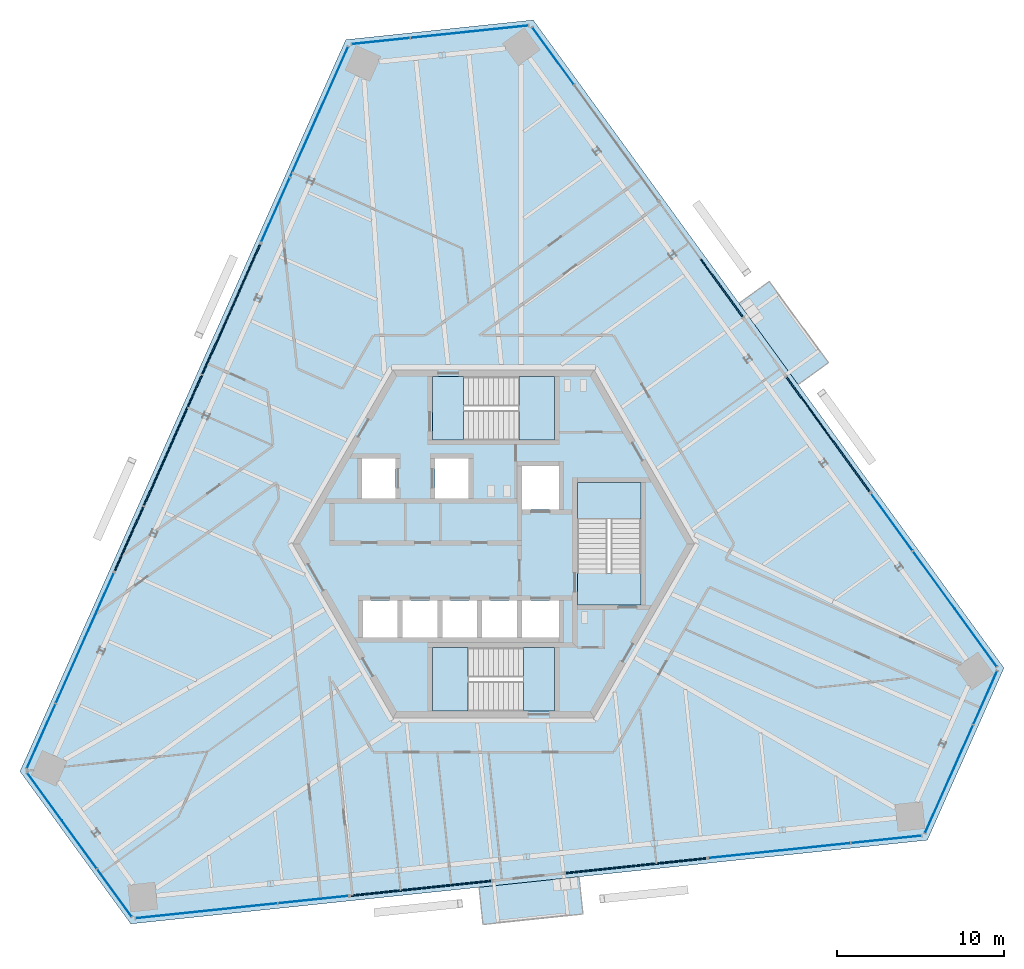
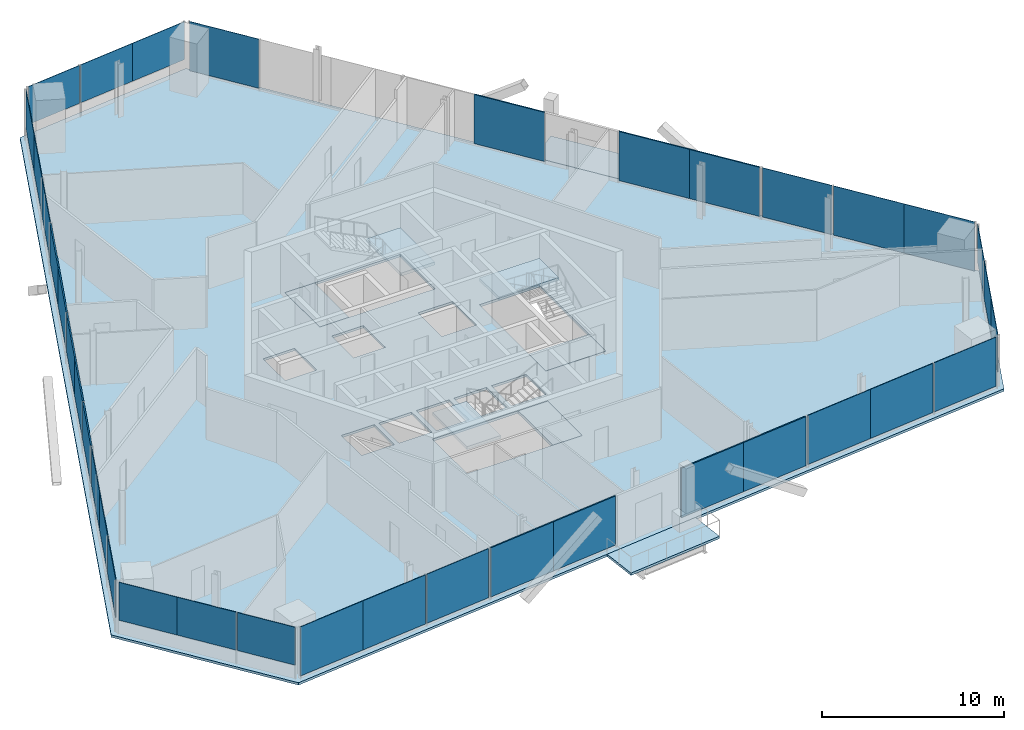
# One storey, part 10 of 18: 37 plates, 9 slabs, 17 elements without a shape of their own.
"""IFC4 building model written with IfcOpenShell, lengths in metres."""

from ifc_helpers import new_model, si_unit, direction, frame, origin, origin_2d, place, context, subcontext, project, spatial, polyline, rectangle, outline, extrude, source, transform, mapped, material, layer, layer_set, type_object, element, aggregate, save


model = new_model("IFC4")

# Units and contexts
model_context = context("Model", 3, precision=1e-05, world=origin(), true_north=direction((0.0, 1.0)))
body_context = subcontext(model_context, "Body", "Model", "MODEL_VIEW")
ifc_project = project(units=[si_unit("LENGTHUNIT", "METRE"), si_unit("AREAUNIT", "SQUARE_METRE"), si_unit("VOLUMEUNIT", "CUBIC_METRE"), si_unit("PLANEANGLEUNIT", "RADIAN"), si_unit("MASSUNIT", "GRAM", prefix="KILO")], contexts=[model_context])

# Site, building, storey
site_placement = place(None, origin())
site = spatial("IfcSite", under=ifc_project, at=site_placement, CompositionType="ELEMENT")
building_placement = place(site_placement, origin())
building = spatial("IfcBuilding", under=site, at=building_placement, Name="Triune Harvest Tower", CompositionType="ELEMENT")
storey_placement = place(building_placement, frame((0.0, 0.0, 230.5)))
storey = spatial("IfcBuildingStorey", under=building, at=storey_placement, Name="L60", CompositionType="ELEMENT", Elevation=230.5)

# Slabs
ifc_material_1 = material(Name="Concrete 40 MPa", Category="concrete")
ifc_layer_1 = layer(ifc_material_1, 0.159912109375)
ifc_layer_set_1 = layer_set([ifc_layer_1], Name="Concrete 40 MPa")
slab_type_1 = type_object("IfcSlabType", Name="BA-1 balcony slab 160", PredefinedType="FLOOR", material=ifc_layer_set_1)
slab_1_placement = place(storey_placement, frame((0.0, 0.0, -0.159912109375)))
element("IfcSlab", 1, at=slab_1_placement, inside=storey, type_object=slab_type_1, Name="Balcony slab B6-F1 L60.6", PredefinedType="FLOOR", context=body_context, shape_type="SweptSolid", body=[
    extrude(outline(polyline([(18.189208984375, 9.507080078125), (14.66259765625, 14.361083984375), (16.47021484375, 15.674560546875), (19.9970703125, 10.8203125), (18.189208984375, 9.507080078125)])), origin(), (0.0, 0.0, 1.0), 0.159912109375),
])
slab_2_placement = place(storey_placement, frame((0.0, 0.0, -0.159912109375)))
element("IfcSlab", 2, at=slab_2_placement, inside=storey, type_object=slab_type_1, Name="Balcony slab B6-F5 L60.6", PredefinedType="FLOOR", context=body_context, shape_type="SweptSolid", body=[
    extrude(outline(polyline([(-0.861328125, -20.505859375), (5.10595703125, -19.878662109375), (5.33935546875, -22.100830078125), (-0.627685546875, -22.72802734375), (-0.861328125, -20.505859375)])), origin(), (0.0, 0.0, 1.0), 0.159912109375),
])
ifc_material_2 = material(Name="Concrete 40 MPa", Category="concrete")
ifc_layer_2 = layer(ifc_material_2, 0.159912109375)
ifc_layer_set_2 = layer_set([ifc_layer_2], Name="Concrete 40 MPa")
slab_type_2 = type_object("IfcSlabType", Name="SL-1 Composite floor slab 160", PredefinedType="FLOOR", material=ifc_layer_set_2)
shared_shape_1 = source(origin(), body_context, "Body", "SweptSolid", [
    extrude(outline(polyline([(30.481689453125, -7.412109375), (2.3701171875, 31.280517578125), (-8.82177734375, 30.10400390625), (-28.274658203125, -13.587646484375), (-21.659912109375, -22.69189453125), (25.904541015625, -17.692626953125), (30.481689453125, -7.412109375)]), holes=[polyline([(-5.72509765625, -5.590087890625), (-5.72509765625, -3.389892578125), (-7.800048828125, -3.389892578125), (-7.800048828125, -5.590087890625), (-5.72509765625, -5.590087890625)]), polyline([(-3.35009765625, -5.590087890625), (-3.35009765625, -3.389892578125), (-5.425048828125, -3.389892578125), (-5.425048828125, -5.590087890625), (-3.35009765625, -5.590087890625)]), polyline([(-0.97509765625, -5.590087890625), (-0.97509765625, -3.389892578125), (-3.050048828125, -3.389892578125), (-3.050048828125, -5.590087890625), (-0.97509765625, -5.590087890625)]), polyline([(1.39990234375, -5.590087890625), (1.39990234375, -3.389892578125), (-0.675048828125, -3.389892578125), (-0.675048828125, -5.590087890625), (1.39990234375, -5.590087890625)]), polyline([(3.89990234375, 2.06005859375), (3.89990234375, 4.659912109375), (1.699951171875, 4.659912109375), (1.699951171875, 2.06005859375), (3.89990234375, 2.06005859375)]), polyline([(3.89990234375, -5.590087890625), (3.89990234375, -3.389892578125), (1.699951171875, -3.389892578125), (1.699951171875, -5.590087890625), (3.89990234375, -5.590087890625)]), polyline([(-5.85009765625, 2.7099609375), (-5.85009765625, 5.110107421875), (-7.85009765625, 5.110107421875), (-7.85009765625, 2.7099609375), (-5.85009765625, 2.7099609375)]), polyline([(-1.5, 2.7099609375), (-1.5, 5.110107421875), (-3.5, 5.110107421875), (-3.5, 2.7099609375), (-1.5, 2.7099609375)]), polyline([(3.64990234375, 6.18994140625), (3.64990234375, 9.989990234375), (-3.64990234375, 9.989990234375), (-3.64990234375, 6.18994140625), (3.64990234375, 6.18994140625)]), polyline([(3.64990234375, -9.989990234375), (3.64990234375, -6.18994140625), (-3.64990234375, -6.18994140625), (-3.64990234375, -9.989990234375), (3.64990234375, -9.989990234375)]), polyline([(8.800048828125, -3.64990234375), (8.800048828125, 3.64990234375), (5.0, 3.64990234375), (5.0, -3.64990234375), (8.800048828125, -3.64990234375)])]), origin(), (0.0, 0.0, 1.0), 0.159912109375),
])
slab_3_placement = place(storey_placement, frame((0.0, 0.0, -0.159912109375)))
element("IfcSlab", 3, at=slab_3_placement, inside=storey, type_object=slab_type_2, Name="slab/L60/1", PredefinedType="FLOOR", context=body_context, shape_type="MappedRepresentation", body=[
    mapped(shared_shape_1, transform((0.0, 0.0, 0.0), scale=1.0)),
])

# Stair, slabs
ifc_material_3 = material(Name="Concrete 40 MPa", Category="concrete")
stair_type = type_object("IfcStairType", Name="Exit stair 1800 half turn", PredefinedType="HALF_TURN_STAIR", material=ifc_material_3)
stair_1_placement = place(storey_placement, origin())
stair_1 = element("IfcStair", 4, at=stair_1_placement, inside=storey, type_object=stair_type, Name="Exit stair north", PredefinedType="HALF_TURN_STAIR")
ifc_material_4 = material(Name="Concrete 40 MPa", Category="concrete")
ifc_layer_3 = layer(ifc_material_4, 0.199951171875)
ifc_layer_set_3 = layer_set([ifc_layer_3], Name="Concrete 40 MPa")
slab_type_3 = type_object("IfcSlabType", Name="Stair landing 200", PredefinedType="LANDING", material=ifc_layer_set_3)
shared_shape_2 = source(origin(), body_context, "Body", "SweptSolid", [
    extrude(outline(polyline([(1.510009765625, 6.18994140625), (3.64990234375, 6.18994140625), (3.64990234375, 9.989990234375), (1.510009765625, 9.989990234375), (1.510009765625, 6.18994140625)])), origin(), (0.0, 0.0, 1.0), 0.199951171875),
])
slab_4_placement = place(storey_placement, frame((0.0, 0.0, 1.60009765625)))
slab_4 = element("IfcSlab", 5, at=slab_4_placement, type_object=slab_type_3, Name="ST-1 landing 2", PredefinedType="LANDING", context=body_context, shape_type="MappedRepresentation", body=[
    mapped(shared_shape_2, transform((0.0, 0.0, 0.0), scale=1.0)),
])
shared_shape_3 = source(origin(), body_context, "Body", "SweptSolid", [
    extrude(outline(polyline([(-3.64990234375, 6.18994140625), (-1.780029296875, 6.18994140625), (-1.780029296875, 9.989990234375), (-3.64990234375, 9.989990234375), (-3.64990234375, 6.18994140625)])), origin(), (0.0, 0.0, 1.0), 0.199951171875),
])
slab_5_placement = place(storey_placement, frame((0.0, 0.0, -0.199951171875)))
slab_5 = element("IfcSlab", 6, at=slab_5_placement, type_object=slab_type_3, Name="ST-1 landing 1", PredefinedType="LANDING", context=body_context, shape_type="MappedRepresentation", body=[
    mapped(shared_shape_3, transform((0.0, 0.0, 0.0), scale=1.0)),
])
aggregate(stair_1, [slab_5, slab_4])

stair_2_placement = place(storey_placement, origin())
stair_2 = element("IfcStair", 7, at=stair_2_placement, inside=storey, type_object=stair_type, Name="Exit stair south", PredefinedType="HALF_TURN_STAIR")
shared_shape_4 = source(origin(), body_context, "Body", "SweptSolid", [
    extrude(outline(polyline([(-1.510009765625, -6.18994140625), (-3.64990234375, -6.18994140625), (-3.64990234375, -9.989990234375), (-1.510009765625, -9.989990234375), (-1.510009765625, -6.18994140625)])), origin(), (0.0, 0.0, 1.0), 0.199951171875),
])
slab_6_placement = place(storey_placement, frame((0.0, 0.0, 1.60009765625)))
slab_6 = element("IfcSlab", 8, at=slab_6_placement, type_object=slab_type_3, Name="ST-2 landing 2", PredefinedType="LANDING", context=body_context, shape_type="MappedRepresentation", body=[
    mapped(shared_shape_4, transform((0.0, 0.0, 0.0), scale=1.0)),
])
shared_shape_5 = source(origin(), body_context, "Body", "SweptSolid", [
    extrude(outline(polyline([(3.64990234375, -6.18994140625), (1.780029296875, -6.18994140625), (1.780029296875, -9.989990234375), (3.64990234375, -9.989990234375), (3.64990234375, -6.18994140625)])), origin(), (0.0, 0.0, 1.0), 0.199951171875),
])
slab_7_placement = place(storey_placement, frame((0.0, 0.0, -0.199951171875)))
slab_7 = element("IfcSlab", 9, at=slab_7_placement, type_object=slab_type_3, Name="ST-2 landing 1", PredefinedType="LANDING", context=body_context, shape_type="MappedRepresentation", body=[
    mapped(shared_shape_5, transform((0.0, 0.0, 0.0), scale=1.0)),
])
aggregate(stair_2, [slab_7, slab_6])

stair_3_placement = place(storey_placement, origin())
stair_3 = element("IfcStair", 10, at=stair_3_placement, inside=storey, type_object=stair_type, Name="Exit stair east", PredefinedType="HALF_TURN_STAIR")
shared_shape_6 = source(origin(), body_context, "Body", "SweptSolid", [
    extrude(outline(polyline([(8.800048828125, 1.510009765625), (8.800048828125, 3.64990234375), (5.0, 3.64990234375), (5.0, 1.510009765625), (8.800048828125, 1.510009765625)])), origin(), (0.0, 0.0, 1.0), 0.199951171875),
])
slab_8_placement = place(storey_placement, frame((0.0, 0.0, 1.60009765625)))
slab_8 = element("IfcSlab", 11, at=slab_8_placement, type_object=slab_type_3, Name="ST-3 landing 2", PredefinedType="LANDING", context=body_context, shape_type="MappedRepresentation", body=[
    mapped(shared_shape_6, transform((0.0, 0.0, 0.0), scale=1.0)),
])
shared_shape_7 = source(origin(), body_context, "Body", "SweptSolid", [
    extrude(outline(polyline([(8.800048828125, -3.64990234375), (8.800048828125, -1.780029296875), (5.0, -1.780029296875), (5.0, -3.64990234375), (8.800048828125, -3.64990234375)])), origin(), (0.0, 0.0, 1.0), 0.199951171875),
])
slab_9_placement = place(storey_placement, frame((0.0, 0.0, -0.199951171875)))
slab_9 = element("IfcSlab", 12, at=slab_9_placement, type_object=slab_type_3, Name="ST-3 landing 1", PredefinedType="LANDING", context=body_context, shape_type="MappedRepresentation", body=[
    mapped(shared_shape_7, transform((0.0, 0.0, 0.0), scale=1.0)),
])
aggregate(stair_3, [slab_9, slab_8])

# Curtain wall, plate
ifc_material_5 = material(Name="Aluminium bronze anodised", Category="aluminium")
curtain_wall_type_1 = type_object("IfcCurtainWallType", Name="CW-1 Tower stick curtain wall", PredefinedType="NOTDEFINED", material=ifc_material_5)
curtain_wall_1_placement = place(storey_placement, origin())
curtain_wall_1 = element("IfcCurtainWall", 13, at=curtain_wall_1_placement, inside=storey, type_object=curtain_wall_type_1, Name="CW-1 B6-F2 L60 run 1")
ifc_material_6 = material(Name="Glass", Category="glass")
ifc_layer_4 = layer(ifc_material_6, 0.031982421875)
ifc_layer_set_4 = layer_set([ifc_layer_4], Name="Glass")
plate_type_1 = type_object("IfcPlateType", Name="GL-1 panel 32", PredefinedType="CURTAIN_PANEL", material=ifc_layer_set_4)
shared_shape_8 = source(origin(), body_context, "Body", "SweptSolid", [
    extrude(rectangle(XDim=3.500732421875, YDim=0.031982421875, at=origin_2d()), origin(), (0.0, 0.0, 1.0), 2.5400390625),
])
plate_1_placement = place(storey_placement, frame((0.32421875, 30.763671875, 0.89990234375), z_axis=(0.0, 0.0, 1.0), x_axis=(-0.994521768229, -0.104529672907, 0.0)))
plate_1 = element("IfcPlate", 14, at=plate_1_placement, type_object=plate_type_1, Name="CW-1 panel B6-F2 1.1", PredefinedType="CURTAIN_PANEL", context=body_context, shape_type="MappedRepresentation", body=[
    mapped(shared_shape_8, transform((0.0, 0.0, 0.0), scale=1.0)),
])

curtain_wall_2_placement = place(storey_placement, origin())
curtain_wall_2 = element("IfcCurtainWall", 15, at=curtain_wall_2_placement, inside=storey, type_object=curtain_wall_type_1, Name="CW-1 B6-F4 L60 run 1")
plate_2_placement = place(storey_placement, frame((-26.80419921875, -15.10107421875, 0.89990234375), z_axis=(0.0, 0.0, 1.0), x_axis=(0.587788936013, -0.809014317982, 0.0)))
plate_2 = element("IfcPlate", 16, at=plate_2_placement, type_object=plate_type_1, Name="CW-1 panel B6-F4 1.1", PredefinedType="CURTAIN_PANEL", context=body_context, shape_type="MappedRepresentation", body=[
    mapped(shared_shape_8, transform((0.0, 0.0, 0.0), scale=1.0)),
])

curtain_wall_3_placement = place(storey_placement, origin())
curtain_wall_3 = element("IfcCurtainWall", 17, at=curtain_wall_3_placement, inside=storey, type_object=curtain_wall_type_1, Name="CW-1 B6-F6 L60 run 1")
plate_3_placement = place(storey_placement, frame((26.47998046875, -15.66259765625, 0.89990234375), z_axis=(0.0, 0.0, 1.0), x_axis=(0.406743216086, 0.913542531121, 0.0)))
plate_3 = element("IfcPlate", 18, at=plate_3_placement, type_object=plate_type_1, Name="CW-1 panel B6-F6 1.1", PredefinedType="CURTAIN_PANEL", context=body_context, shape_type="MappedRepresentation", body=[
    mapped(shared_shape_8, transform((0.0, 0.0, 0.0), scale=1.0)),
])

# Plate
shared_shape_9 = source(origin(), body_context, "Body", "SweptSolid", [
    extrude(rectangle(XDim=3.5380859375, YDim=0.031982421875, at=origin_2d()), origin(), (0.0, 0.0, 1.0), 2.5400390625),
])
plate_4_placement = place(storey_placement, frame((-3.17578125, 30.395751953125, 0.89990234375), z_axis=(0.0, 0.0, 1.0), x_axis=(-0.994521768229, -0.104529672907, 0.0)))
plate_4 = element("IfcPlate", 19, at=plate_4_placement, type_object=plate_type_1, Name="CW-1 panel B6-F2 1.2", PredefinedType="CURTAIN_PANEL", context=body_context, shape_type="MappedRepresentation", body=[
    mapped(shared_shape_9, transform((0.0, 0.0, 0.0), scale=1.0)),
])

plate_5_placement = place(storey_placement, frame((-24.735595703125, -17.9482421875, 0.89990234375), z_axis=(0.0, 0.0, 1.0), x_axis=(0.587788936013, -0.809014317982, 0.0)))
plate_5 = element("IfcPlate", 20, at=plate_5_placement, type_object=plate_type_1, Name="CW-1 panel B6-F4 1.2", PredefinedType="CURTAIN_PANEL", context=body_context, shape_type="MappedRepresentation", body=[
    mapped(shared_shape_9, transform((0.0, 0.0, 0.0), scale=1.0)),
])

plate_6_placement = place(storey_placement, frame((27.91162109375, -12.447509765625, 0.89990234375), z_axis=(0.0, 0.0, 1.0), x_axis=(0.406743216086, 0.913542531121, 0.0)))
plate_6 = element("IfcPlate", 21, at=plate_6_placement, type_object=plate_type_1, Name="CW-1 panel B6-F6 1.2", PredefinedType="CURTAIN_PANEL", context=body_context, shape_type="MappedRepresentation", body=[
    mapped(shared_shape_9, transform((0.0, 0.0, 0.0), scale=1.0)),
])

shared_shape_10 = source(origin(), body_context, "Body", "SweptSolid", [
    extrude(rectangle(XDim=3.463134765625, YDim=0.031982421875, at=origin_2d()), origin(), (0.0, 0.0, 1.0), 2.5400390625),
])
plate_7_placement = place(storey_placement, frame((-6.73193359375, 30.02197265625, 0.89990234375), z_axis=(0.0, 0.0, 1.0), x_axis=(-0.994521768229, -0.104529672907, 0.0)))
plate_7 = element("IfcPlate", 22, at=plate_7_placement, type_object=plate_type_1, Name="CW-1 panel B6-F2 1.3", PredefinedType="CURTAIN_PANEL", context=body_context, shape_type="MappedRepresentation", body=[
    mapped(shared_shape_10, transform((0.0, 0.0, 0.0), scale=1.0)),
])

aggregate(curtain_wall_1, [plate_1, plate_4, plate_7])

plate_8_placement = place(storey_placement, frame((-22.6337890625, -20.841064453125, 0.89990234375), z_axis=(0.0, 0.0, 1.0), x_axis=(0.587788936013, -0.809014317982, 0.0)))
plate_8 = element("IfcPlate", 23, at=plate_8_placement, type_object=plate_type_1, Name="CW-1 panel B6-F4 1.3", PredefinedType="CURTAIN_PANEL", context=body_context, shape_type="MappedRepresentation", body=[
    mapped(shared_shape_10, transform((0.0, 0.0, 0.0), scale=1.0)),
])

aggregate(curtain_wall_2, [plate_2, plate_5, plate_8])

plate_9_placement = place(storey_placement, frame((29.365966796875, -9.180908203125, 0.89990234375), z_axis=(0.0, 0.0, 1.0), x_axis=(0.406743216086, 0.913542531121, 0.0)))
plate_9 = element("IfcPlate", 24, at=plate_9_placement, type_object=plate_type_1, Name="CW-1 panel B6-F6 1.3", PredefinedType="CURTAIN_PANEL", context=body_context, shape_type="MappedRepresentation", body=[
    mapped(shared_shape_10, transform((0.0, 0.0, 0.0), scale=1.0)),
])

aggregate(curtain_wall_3, [plate_3, plate_6, plate_9])

# Curtain wall, plates
ifc_material_7 = material(Name="Aluminium bronze anodised", Category="aluminium")
curtain_wall_type_2 = type_object("IfcCurtainWallType", Name="CW-7 Tower stick curtain wall with insulated spandrel infill", PredefinedType="NOTDEFINED", material=ifc_material_7)
curtain_wall_4_placement = place(storey_placement, origin())
curtain_wall_4 = element("IfcCurtainWall", 25, at=curtain_wall_4_placement, inside=storey, type_object=curtain_wall_type_2, Name="CW-7 B6-F3 L60 run 1001")
ifc_material_8 = material(Name="Insulated spandrel panel, bronze aluminium pan", Category="aluminium")
ifc_layer_5 = layer(ifc_material_8, 0.080078125)
ifc_layer_set_5 = layer_set([ifc_layer_5], Name="Insulated spandrel panel, bronze aluminium pan")
plate_type_2 = type_object("IfcPlateType", Name="SP-1 insulated spandrel panel 80", PredefinedType="CURTAIN_PANEL", material=ifc_layer_set_5)
shared_shape_11 = source(origin(), body_context, "Body", "SweptSolid", [
    extrude(rectangle(XDim=4.22509765625, YDim=0.080078125, at=origin_2d()), origin(), (0.0, 0.0, 1.0), 2.5400390625),
])
plate_10_placement = place(storey_placement, frame((-14.791259765625, 15.95849609375, 0.89990234375), z_axis=(0.0, 0.0, 1.0), x_axis=(-0.406741682385, -0.913543213981, 0.0)))
plate_10 = element("IfcPlate", 26, at=plate_10_placement, type_object=plate_type_2, Name="CW-7 panel B6-F3 1001.1", PredefinedType="CURTAIN_PANEL", context=body_context, shape_type="MappedRepresentation", body=[
    mapped(shared_shape_11, transform((0.0, 0.0, 0.0), scale=1.0)),
])
shared_shape_12 = source(origin(), body_context, "Body", "SweptSolid", [
    extrude(rectangle(XDim=4.262451171875, YDim=0.080078125, at=origin_2d()), origin(), (0.0, 0.0, 1.0), 2.5400390625),
])
plate_11_placement = place(storey_placement, frame((-16.517578125, 12.08154296875, 0.89990234375), z_axis=(0.0, 0.0, 1.0), x_axis=(-0.406741682385, -0.913543213981, 0.0)))
plate_11 = element("IfcPlate", 27, at=plate_11_placement, type_object=plate_type_2, Name="CW-7 panel B6-F3 1001.2", PredefinedType="CURTAIN_PANEL", context=body_context, shape_type="MappedRepresentation", body=[
    mapped(shared_shape_12, transform((0.0, 0.0, 0.0), scale=1.0)),
])
plate_12_placement = place(storey_placement, frame((-18.28173828125, 8.119140625, 0.89990234375), z_axis=(0.0, 0.0, 1.0), x_axis=(-0.406741682385, -0.913543213981, 0.0)))
plate_12 = element("IfcPlate", 28, at=plate_12_placement, type_object=plate_type_2, Name="CW-7 panel B6-F3 1001.3", PredefinedType="CURTAIN_PANEL", context=body_context, shape_type="MappedRepresentation", body=[
    mapped(shared_shape_12, transform((0.0, 0.0, 0.0), scale=1.0)),
])
plate_13_placement = place(storey_placement, frame((-20.015380859375, 4.22509765625, 0.89990234375), z_axis=(0.0, 0.0, 1.0), x_axis=(-0.406741682385, -0.913543213981, 0.0)))
plate_13 = element("IfcPlate", 29, at=plate_13_placement, type_object=plate_type_2, Name="CW-7 panel B6-F3 1001.4", PredefinedType="CURTAIN_PANEL", context=body_context, shape_type="MappedRepresentation", body=[
    mapped(shared_shape_12, transform((0.0, 0.0, 0.0), scale=1.0)),
])

# Curtain wall, plate
curtain_wall_5_placement = place(storey_placement, origin())
curtain_wall_5 = element("IfcCurtainWall", 30, at=curtain_wall_5_placement, inside=storey, type_object=curtain_wall_type_1, Name="CW-1 B6-F3 L60 run 1")
shared_shape_13 = source(origin(), body_context, "Body", "SweptSolid", [
    extrude(rectangle(XDim=4.22509765625, YDim=0.031982421875, at=origin_2d()), origin(), (0.0, 0.0, 1.0), 2.5400390625),
])
plate_14_placement = place(storey_placement, frame((-9.54443359375, 27.7431640625, 0.89990234375), z_axis=(0.0, 0.0, 1.0), x_axis=(-0.406734770456, -0.913546291384, 0.0)))
plate_14 = element("IfcPlate", 31, at=plate_14_placement, type_object=plate_type_1, Name="CW-1 panel B6-F3 1.1", PredefinedType="CURTAIN_PANEL", context=body_context, shape_type="MappedRepresentation", body=[
    mapped(shared_shape_13, transform((0.0, 0.0, 0.0), scale=1.0)),
])

curtain_wall_6_placement = place(storey_placement, origin())
curtain_wall_6 = element("IfcCurtainWall", 32, at=curtain_wall_6_placement, inside=storey, type_object=curtain_wall_type_1, Name="CW-1 B6-F3 L60 run 2001")
plate_15_placement = place(storey_placement, frame((-23.536376953125, -3.682861328125, 0.89990234375), z_axis=(0.0, 0.0, 1.0), x_axis=(-0.406734770456, -0.913546291384, 0.0)))
plate_15 = element("IfcPlate", 33, at=plate_15_placement, type_object=plate_type_1, Name="CW-1 panel B6-F3 2001.1", PredefinedType="CURTAIN_PANEL", context=body_context, shape_type="MappedRepresentation", body=[
    mapped(shared_shape_13, transform((0.0, 0.0, 0.0), scale=1.0)),
])

# Plate
shared_shape_14 = source(origin(), body_context, "Body", "SweptSolid", [
    extrude(rectangle(XDim=4.262451171875, YDim=0.031982421875, at=origin_2d()), origin(), (0.0, 0.0, 1.0), 2.5400390625),
])
plate_16_placement = place(storey_placement, frame((-11.2705078125, 23.8662109375, 0.89990234375), z_axis=(0.0, 0.0, 1.0), x_axis=(-0.406734770456, -0.913546291384, 0.0)))
plate_16 = element("IfcPlate", 34, at=plate_16_placement, type_object=plate_type_1, Name="CW-1 panel B6-F3 1.2", PredefinedType="CURTAIN_PANEL", context=body_context, shape_type="MappedRepresentation", body=[
    mapped(shared_shape_14, transform((0.0, 0.0, 0.0), scale=1.0)),
])

plate_17_placement = place(storey_placement, frame((-25.262451171875, -7.559814453125, 0.89990234375), z_axis=(0.0, 0.0, 1.0), x_axis=(-0.406734770456, -0.913546291384, 0.0)))
plate_17 = element("IfcPlate", 35, at=plate_17_placement, type_object=plate_type_1, Name="CW-1 panel B6-F3 2001.2", PredefinedType="CURTAIN_PANEL", context=body_context, shape_type="MappedRepresentation", body=[
    mapped(shared_shape_14, transform((0.0, 0.0, 0.0), scale=1.0)),
])

shared_shape_15 = source(origin(), body_context, "Body", "SweptSolid", [
    extrude(rectangle(XDim=4.1875, YDim=0.031982421875, at=origin_2d()), origin(), (0.0, 0.0, 1.0), 2.5400390625),
])
plate_18_placement = place(storey_placement, frame((-13.01953125, 19.93798828125, 0.89990234375), z_axis=(0.0, 0.0, 1.0), x_axis=(-0.406734770456, -0.913546291384, 0.0)))
plate_18 = element("IfcPlate", 36, at=plate_18_placement, type_object=plate_type_1, Name="CW-1 panel B6-F3 1.3", PredefinedType="CURTAIN_PANEL", context=body_context, shape_type="MappedRepresentation", body=[
    mapped(shared_shape_15, transform((0.0, 0.0, 0.0), scale=1.0)),
])

aggregate(curtain_wall_5, [plate_14, plate_16, plate_18])

plate_19_placement = place(storey_placement, frame((-27.011474609375, -11.488037109375, 0.89990234375), z_axis=(0.0, 0.0, 1.0), x_axis=(-0.406734770456, -0.913546291384, 0.0)))
plate_19 = element("IfcPlate", 37, at=plate_19_placement, type_object=plate_type_1, Name="CW-1 panel B6-F3 2001.3", PredefinedType="CURTAIN_PANEL", context=body_context, shape_type="MappedRepresentation", body=[
    mapped(shared_shape_15, transform((0.0, 0.0, 0.0), scale=1.0)),
])

aggregate(curtain_wall_6, [plate_15, plate_17, plate_19])

# Curtain wall, plate
ifc_material_9 = material(Name="Aluminium bronze anodised", Category="aluminium")
curtain_wall_type_3 = type_object("IfcCurtainWallType", Name="CW-6 Balcony window wall", PredefinedType="NOTDEFINED", material=ifc_material_9)
curtain_wall_7_placement = place(storey_placement, origin())
curtain_wall_7 = element("IfcCurtainWall", 38, at=curtain_wall_7_placement, inside=storey, type_object=curtain_wall_type_3, Name="CW-6 B6-F1 L60 run 1")
ifc_material_10 = material(Name="Glass", Category="glass")
ifc_layer_6 = layer(ifc_material_10, 0.030029296875)
ifc_layer_set_6 = layer_set([ifc_layer_6], Name="Glass")
plate_type_3 = type_object("IfcPlateType", Name="GL-6 panel 30", PredefinedType="CURTAIN_PANEL", material=ifc_layer_set_6)
shared_shape_16 = source(origin(), body_context, "Body", "SweptSolid", [
    extrude(rectangle(XDim=4.223388671875, YDim=0.030029296875, at=origin_2d()), origin(), (0.0, 0.0, 1.0), 3.2900390625),
])
plate_20_placement = place(storey_placement, frame((28.799072265625, -5.6064453125, 0.14990234375), z_axis=(0.0, 0.0, 1.0), x_axis=(-0.587786540333, 0.809016058557, 0.0)))
plate_20 = element("IfcPlate", 39, at=plate_20_placement, type_object=plate_type_3, Name="CW-6 panel B6-F1 1.1", PredefinedType="CURTAIN_PANEL", context=body_context, shape_type="MappedRepresentation", body=[
    mapped(shared_shape_16, transform((0.0, 0.0, 0.0), scale=1.0)),
])

curtain_wall_8_placement = place(storey_placement, origin())
curtain_wall_8 = element("IfcCurtainWall", 40, at=curtain_wall_8_placement, inside=storey, type_object=curtain_wall_type_3, Name="CW-6 B6-F5 L60 run 1")
plate_21_placement = place(storey_placement, frame((-19.2548828125, -22.137451171875, 0.14990234375), z_axis=(0.0, 0.0, 1.0), x_axis=(0.994522026145, 0.104527219, 0.0)))
plate_21 = element("IfcPlate", 41, at=plate_21_placement, type_object=plate_type_3, Name="CW-6 panel B6-F5 1.1", PredefinedType="CURTAIN_PANEL", context=body_context, shape_type="MappedRepresentation", body=[
    mapped(shared_shape_16, transform((0.0, 0.0, 0.0), scale=1.0)),
])

curtain_wall_9_placement = place(storey_placement, origin())
curtain_wall_9 = element("IfcCurtainWall", 42, at=curtain_wall_9_placement, inside=storey, type_object=curtain_wall_type_3, Name="CW-6 B6-F5 L60 run 1002")
plate_22_placement = place(storey_placement, frame((14.961669921875, -18.541015625, 0.14990234375), z_axis=(0.0, 0.0, 1.0), x_axis=(0.994522026145, 0.104527219, 0.0)))
plate_22 = element("IfcPlate", 43, at=plate_22_placement, type_object=plate_type_3, Name="CW-6 panel B6-F5 1002.1", PredefinedType="CURTAIN_PANEL", context=body_context, shape_type="MappedRepresentation", body=[
    mapped(shared_shape_16, transform((0.0, 0.0, 0.0), scale=1.0)),
])

# Plate
shared_shape_17 = source(origin(), body_context, "Body", "SweptSolid", [
    extrude(rectangle(XDim=4.260986328125, YDim=0.030029296875, at=origin_2d()), origin(), (0.0, 0.0, 1.0), 3.2900390625),
])
plate_23_placement = place(storey_placement, frame((26.3056640625, -2.174560546875, 0.14990234375), z_axis=(0.0, 0.0, 1.0), x_axis=(-0.587786540333, 0.809016058557, 0.0)))
plate_23 = element("IfcPlate", 44, at=plate_23_placement, type_object=plate_type_3, Name="CW-6 panel B6-F1 1.2", PredefinedType="CURTAIN_PANEL", context=body_context, shape_type="MappedRepresentation", body=[
    mapped(shared_shape_17, transform((0.0, 0.0, 0.0), scale=1.0)),
])

plate_24_placement = place(storey_placement, frame((-15.035888671875, -21.694091796875, 0.14990234375), z_axis=(0.0, 0.0, 1.0), x_axis=(0.994522026145, 0.104527219, 0.0)))
plate_24 = element("IfcPlate", 45, at=plate_24_placement, type_object=plate_type_3, Name="CW-6 panel B6-F5 1.2", PredefinedType="CURTAIN_PANEL", context=body_context, shape_type="MappedRepresentation", body=[
    mapped(shared_shape_17, transform((0.0, 0.0, 0.0), scale=1.0)),
])

plate_25_placement = place(storey_placement, frame((19.1806640625, -18.09765625, 0.14990234375), z_axis=(0.0, 0.0, 1.0), x_axis=(0.994522026145, 0.104527219, 0.0)))
plate_25 = element("IfcPlate", 46, at=plate_25_placement, type_object=plate_type_3, Name="CW-6 panel B6-F5 1002.2", PredefinedType="CURTAIN_PANEL", context=body_context, shape_type="MappedRepresentation", body=[
    mapped(shared_shape_17, transform((0.0, 0.0, 0.0), scale=1.0)),
])

shared_shape_18 = source(origin(), body_context, "Body", "SweptSolid", [
    extrude(rectangle(XDim=4.185791015625, YDim=0.030029296875, at=origin_2d()), origin(), (0.0, 0.0, 1.0), 3.2900390625),
])
plate_26_placement = place(storey_placement, frame((23.779052734375, 1.302978515625, 0.14990234375), z_axis=(0.0, 0.0, 1.0), x_axis=(-0.587786540333, 0.809016058557, 0.0)))
plate_26 = element("IfcPlate", 47, at=plate_26_placement, type_object=plate_type_3, Name="CW-6 panel B6-F1 1.3", PredefinedType="CURTAIN_PANEL", context=body_context, shape_type="MappedRepresentation", body=[
    mapped(shared_shape_18, transform((0.0, 0.0, 0.0), scale=1.0)),
])

aggregate(curtain_wall_7, [plate_20, plate_23, plate_26])

# Curtain wall, plate
curtain_wall_10_placement = place(storey_placement, origin())
curtain_wall_10 = element("IfcCurtainWall", 48, at=curtain_wall_10_placement, inside=storey, type_object=curtain_wall_type_3, Name="CW-6 B6-F1 L60 run 1002")
plate_27_placement = place(storey_placement, frame((3.556396484375, 29.13720703125, 0.14990234375), z_axis=(0.0, 0.0, 1.0), x_axis=(-0.587786540333, 0.809016058557, 0.0)))
plate_27 = element("IfcPlate", 49, at=plate_27_placement, type_object=plate_type_3, Name="CW-6 panel B6-F1 1002.3", PredefinedType="CURTAIN_PANEL", context=body_context, shape_type="MappedRepresentation", body=[
    mapped(shared_shape_18, transform((0.0, 0.0, 0.0), scale=1.0)),
])
aggregate(curtain_wall_10, [plate_27])

# Plate
plate_28_placement = place(storey_placement, frame((-10.76123046875, -21.24462890625, 0.14990234375), z_axis=(0.0, 0.0, 1.0), x_axis=(0.994522026145, 0.104527219, 0.0)))
plate_28 = element("IfcPlate", 50, at=plate_28_placement, type_object=plate_type_3, Name="CW-6 panel B6-F5 1.3", PredefinedType="CURTAIN_PANEL", context=body_context, shape_type="MappedRepresentation", body=[
    mapped(shared_shape_18, transform((0.0, 0.0, 0.0), scale=1.0)),
])

aggregate(curtain_wall_8, [plate_21, plate_24, plate_28])

plate_29_placement = place(storey_placement, frame((23.455322265625, -17.6484375, 0.14990234375), z_axis=(0.0, 0.0, 1.0), x_axis=(0.994522026145, 0.104527219, 0.0)))
plate_29 = element("IfcPlate", 51, at=plate_29_placement, type_object=plate_type_3, Name="CW-6 panel B6-F5 1002.3", PredefinedType="CURTAIN_PANEL", context=body_context, shape_type="MappedRepresentation", body=[
    mapped(shared_shape_18, transform((0.0, 0.0, 0.0), scale=1.0)),
])

aggregate(curtain_wall_9, [plate_22, plate_25, plate_29])

# Curtain wall, plates
ifc_material_11 = material(Name="Aluminium bronze anodised", Category="aluminium")
curtain_wall_type_4 = type_object("IfcCurtainWallType", Name="CW-10 Balcony window wall with insulated spandrel infill", PredefinedType="NOTDEFINED", material=ifc_material_11)
curtain_wall_11_placement = place(storey_placement, origin())
curtain_wall_11 = element("IfcCurtainWall", 52, at=curtain_wall_11_placement, inside=storey, type_object=curtain_wall_type_4, Name="CW-10 B6-F1 L60 run 1001")
shared_shape_19 = source(origin(), body_context, "Body", "SweptSolid", [
    extrude(rectangle(XDim=4.223388671875, YDim=0.080078125, at=origin_2d()), origin(), (0.0, 0.0, 1.0), 3.2900390625),
])
plate_30_placement = place(storey_placement, frame((21.219482421875, 4.825927734375, 0.14990234375), z_axis=(0.0, 0.0, 1.0), x_axis=(-0.58778436965, 0.809017635651, 0.0)))
plate_30 = element("IfcPlate", 53, at=plate_30_placement, type_object=plate_type_2, Name="CW-10 panel B6-F1 1001.1", PredefinedType="CURTAIN_PANEL", context=body_context, shape_type="MappedRepresentation", body=[
    mapped(shared_shape_19, transform((0.0, 0.0, 0.0), scale=1.0)),
])
plate_31_placement = place(storey_placement, frame((18.737060546875, 8.24267578125, 0.14990234375), z_axis=(0.0, 0.0, 1.0), x_axis=(-0.58778436965, 0.809017635651, 0.0)))
plate_31 = element("IfcPlate", 54, at=plate_31_placement, type_object=plate_type_2, Name="CW-10 panel B6-F1 1001.2", PredefinedType="CURTAIN_PANEL", context=body_context, shape_type="MappedRepresentation", body=[
    mapped(shared_shape_19, transform((0.0, 0.0, 0.0), scale=1.0)),
])
aggregate(curtain_wall_11, [plate_30, plate_31])

# Curtain wall, plate
curtain_wall_12_placement = place(storey_placement, origin())
curtain_wall_12 = element("IfcCurtainWall", 55, at=curtain_wall_12_placement, inside=storey, type_object=curtain_wall_type_4, Name="CW-10 B6-F1 L60 run 2")
plate_32_placement = place(storey_placement, frame((13.62939453125, 15.27294921875, 0.14990234375), z_axis=(0.0, 0.0, 1.0), x_axis=(-0.58778436965, 0.809017635651, 0.0)))
plate_32 = element("IfcPlate", 56, at=plate_32_placement, type_object=plate_type_2, Name="CW-10 panel B6-F1 2.1", PredefinedType="CURTAIN_PANEL", context=body_context, shape_type="MappedRepresentation", body=[
    mapped(shared_shape_19, transform((0.0, 0.0, 0.0), scale=1.0)),
])
aggregate(curtain_wall_12, [plate_32])

# Curtain wall, plates
curtain_wall_13_placement = place(storey_placement, origin())
curtain_wall_13 = element("IfcCurtainWall", 57, at=curtain_wall_13_placement, inside=storey, type_object=curtain_wall_type_4, Name="CW-10 B6-F5 L60 run 1001")
plate_33_placement = place(storey_placement, frame((-6.430419921875, -20.78955078125, 0.14990234375), z_axis=(0.0, 0.0, 1.0), x_axis=(0.994521329716, 0.104533844946, 0.0)))
plate_33 = element("IfcPlate", 58, at=plate_33_placement, type_object=plate_type_2, Name="CW-10 panel B6-F5 1001.1", PredefinedType="CURTAIN_PANEL", context=body_context, shape_type="MappedRepresentation", body=[
    mapped(shared_shape_19, transform((0.0, 0.0, 0.0), scale=1.0)),
])
plate_34_placement = place(storey_placement, frame((-2.230224609375, -20.34814453125, 0.14990234375), z_axis=(0.0, 0.0, 1.0), x_axis=(0.994521329716, 0.104533844946, 0.0)))
plate_34 = element("IfcPlate", 59, at=plate_34_placement, type_object=plate_type_2, Name="CW-10 panel B6-F5 1001.2", PredefinedType="CURTAIN_PANEL", context=body_context, shape_type="MappedRepresentation", body=[
    mapped(shared_shape_19, transform((0.0, 0.0, 0.0), scale=1.0)),
])
aggregate(curtain_wall_13, [plate_33, plate_34])

curtain_wall_14_placement = place(storey_placement, origin())
curtain_wall_14 = element("IfcCurtainWall", 60, at=curtain_wall_14_placement, inside=storey, type_object=curtain_wall_type_4, Name="CW-10 B6-F5 L60 run 2")
plate_35_placement = place(storey_placement, frame((6.412109375, -19.439697265625, 0.14990234375), z_axis=(0.0, 0.0, 1.0), x_axis=(0.994521329716, 0.104533844946, 0.0)))
plate_35 = element("IfcPlate", 61, at=plate_35_placement, type_object=plate_type_2, Name="CW-10 panel B6-F5 2.1", PredefinedType="CURTAIN_PANEL", context=body_context, shape_type="MappedRepresentation", body=[
    mapped(shared_shape_19, transform((0.0, 0.0, 0.0), scale=1.0)),
])
plate_36_placement = place(storey_placement, frame((10.6123046875, -18.998291015625, 0.14990234375), z_axis=(0.0, 0.0, 1.0), x_axis=(0.994521329716, 0.104533844946, 0.0)))
plate_36 = element("IfcPlate", 62, at=plate_36_placement, type_object=plate_type_2, Name="CW-10 panel B6-F5 2.2", PredefinedType="CURTAIN_PANEL", context=body_context, shape_type="MappedRepresentation", body=[
    mapped(shared_shape_19, transform((0.0, 0.0, 0.0), scale=1.0)),
])
aggregate(curtain_wall_14, [plate_35, plate_36])

# Plate
shared_shape_20 = source(origin(), body_context, "Body", "SweptSolid", [
    extrude(rectangle(XDim=4.1875, YDim=0.080078125, at=origin_2d()), origin(), (0.0, 0.0, 1.0), 2.5400390625),
])
plate_37_placement = place(storey_placement, frame((-21.764404296875, 0.296875, 0.89990234375), z_axis=(0.0, 0.0, 1.0), x_axis=(-0.406741682385, -0.913543213981, 0.0)))
plate_37 = element("IfcPlate", 63, at=plate_37_placement, type_object=plate_type_2, Name="CW-7 panel B6-F3 1001.5", PredefinedType="CURTAIN_PANEL", context=body_context, shape_type="MappedRepresentation", body=[
    mapped(shared_shape_20, transform((0.0, 0.0, 0.0), scale=1.0)),
])

aggregate(curtain_wall_4, [plate_10, plate_11, plate_12, plate_13, plate_37])

save(model, "model.ifc")
